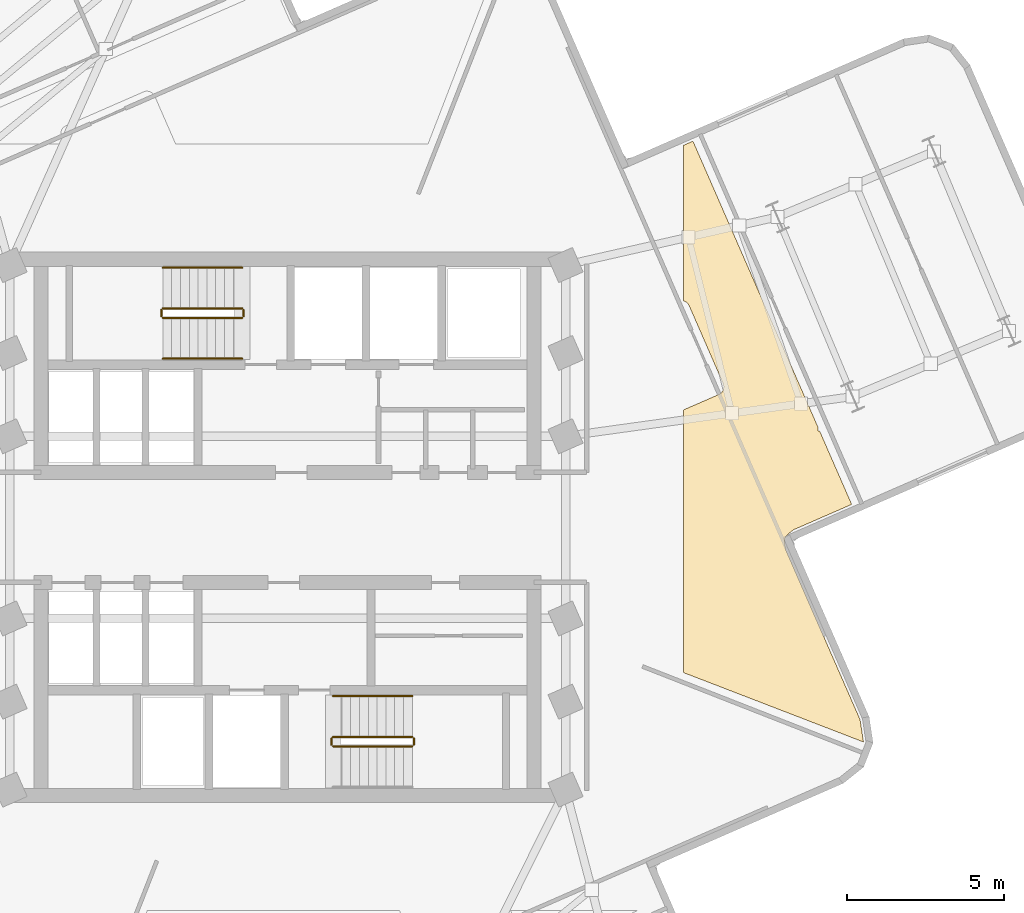
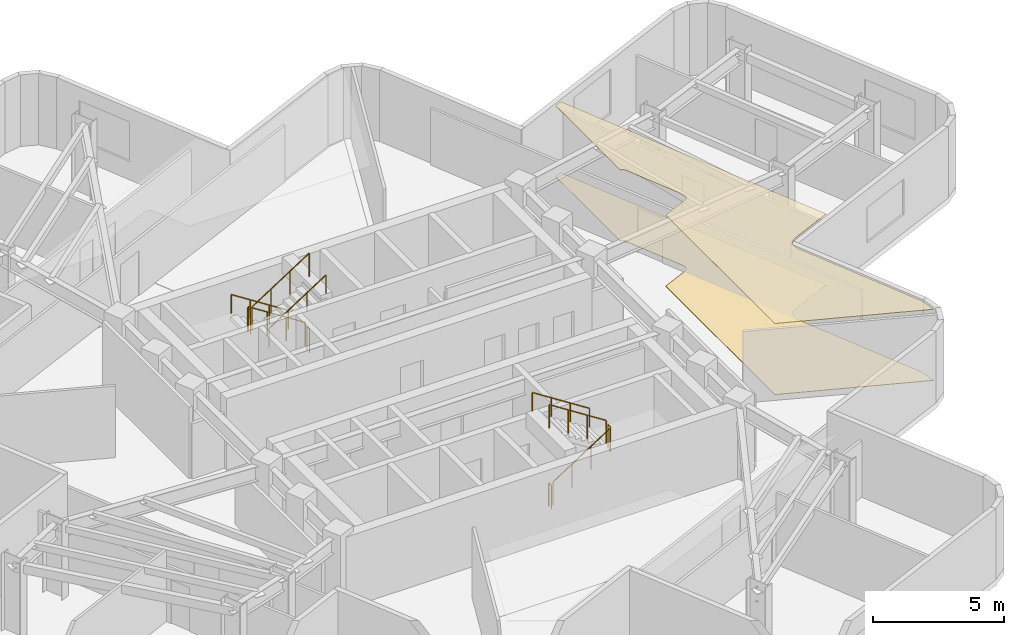
# One storey, part 7 of 8: 11 railings, 2 coverings.
"""IFC4 building model written with IfcOpenShell, lengths in metres."""

from ifc_helpers import new_model, si_unit, direction, frame, origin, origin_2d, place, context, subcontext, project, spatial, polyline, circle, outline, extrude, material, layer, layer_set, type_object, element, save


model = new_model("IFC4")

# Units and contexts
model_context = context("Model", 3, precision=1e-05, world=origin(), true_north=direction((0.0, 1.0)))
body_context = subcontext(model_context, "Body", "Model", "MODEL_VIEW")
ifc_project = project(units=[si_unit("LENGTHUNIT", "METRE"), si_unit("AREAUNIT", "SQUARE_METRE"), si_unit("VOLUMEUNIT", "CUBIC_METRE"), si_unit("PLANEANGLEUNIT", "RADIAN"), si_unit("MASSUNIT", "GRAM", prefix="KILO")], contexts=[model_context])

# Site, building, storey
site_placement = place(None, origin())
site = spatial("IfcSite", under=ifc_project, at=site_placement, CompositionType="ELEMENT")
building_placement = place(site_placement, origin())
building = spatial("IfcBuilding", under=site, at=building_placement, Name="Solmarez Civic Tower", CompositionType="ELEMENT")
storey_placement = place(building_placement, frame((0.0, 0.0, 181.080078125)))
storey = spatial("IfcBuildingStorey", under=building, at=storey_placement, Name="L48", CompositionType="ELEMENT", Elevation=181.080078125)

# Coverings
ifc_material_1 = material(Name="Perforated Mineral-Fibre Acoustic Ceiling")
ifc_layer_1 = layer(ifc_material_1, 0.02490234375)
ifc_layer_set_1 = layer_set([ifc_layer_1], Name="Perforated Mineral-Fibre Acoustic Ceiling")
covering_type_1 = type_object("IfcCoveringType", Name="COV-CEIL-ACOUSTIC", PredefinedType="CEILING", material=ifc_layer_set_1)
covering_1_placement = place(storey_placement, frame((0.0, 0.0, 3.31494140625)))
element("IfcCovering", 1, at=covering_1_placement, inside=storey, type_object=covering_type_1, Name="L48 Suspended Acoustic Ceiling 1", PredefinedType="CEILING", context=body_context, shape_type="SweptSolid", body=[
    extrude(outline(polyline([(12.60009765625, 12.160888671875), (12.60205078125, 7.2119140625), (12.618896484375, 7.20703125), (12.635986328125, 7.200927734375), (12.64111328125, 7.198974609375), (12.657958984375, 7.19091796875), (12.675048828125, 7.181884765625), (12.695068359375, 7.16796875), (12.702880859375, 7.162109375), (12.720947265625, 7.14697265625), (12.738037109375, 7.12890625), (12.743896484375, 7.1220703125), (12.758056640625, 7.10498046875), (12.76904296875, 7.0859375), (12.77392578125, 7.076904296875), (12.783935546875, 7.05810546875), (13.864990234375, 4.583984375), (13.8720703125, 4.56591796875), (13.875, 4.556884765625), (13.882080078125, 4.530029296875), (13.883056640625, 4.52490234375), (13.885986328125, 4.50390625), (13.886962890625, 4.48193359375), (13.886962890625, 4.471923828125), (13.885986328125, 4.449951171875), (13.883056640625, 4.428955078125), (13.882080078125, 4.424072265625), (13.881103515625, 4.4189453125), (13.87890625, 4.409912109375), (13.8740234375, 4.39306640625), (13.867919921875, 4.3759765625), (13.865966796875, 4.37109375), (13.85791015625, 4.35400390625), (13.84912109375, 4.3369140625), (13.837890625, 4.321044921875), (13.8291015625, 4.30908203125), (13.81396484375, 4.291015625), (13.7958984375, 4.27392578125), (13.7890625, 4.26806640625), (13.77197265625, 4.25390625), (13.7529296875, 4.242919921875), (13.743896484375, 4.238037109375), (13.72509765625, 4.22802734375), (12.60009765625, 3.737060546875), (12.60009765625, -4.623046875), (18.330078125, -6.83203125), (18.3330078125, -6.825927734375), (18.22705078125, -6.1259765625), (15.8720703125, -0.738037109375), (15.862060546875, -0.7099609375), (15.860107421875, -0.702880859375), (15.85791015625, -0.696044921875), (15.85302734375, -0.672119140625), (15.85107421875, -0.6630859375), (15.824951171875, -0.489990234375), (15.823974609375, -0.48291015625), (15.822021484375, -0.451904296875), (15.822021484375, -0.444091796875), (15.823974609375, -0.4130859375), (15.824951171875, -0.407958984375), (15.825927734375, -0.402099609375), (15.827880859375, -0.385009765625), (15.83203125, -0.368896484375), (15.833984375, -0.362060546875), (15.843994140625, -0.3349609375), (15.85009765625, -0.321044921875), (15.85888671875, -0.302001953125), (15.8701171875, -0.283935546875), (15.883056640625, -0.26708984375), (15.89208984375, -0.2548828125), (15.89697265625, -0.2490234375), (15.909912109375, -0.23388671875), (15.925048828125, -0.220947265625), (15.930908203125, -0.216064453125), (15.93505859375, -0.212890625), (16.070068359375, -0.10595703125), (16.074951171875, -0.10205078125), (16.090087890625, -0.091064453125), (16.095947265625, -0.0869140625), (16.1201171875, -0.072998046875), (16.1259765625, -0.070068359375), (16.135986328125, -0.06494140625), (17.958984375, 0.73095703125), (16.93994140625, 3.06396484375), (16.886962890625, 3.06396484375), (16.886962890625, 3.18603515625), (12.906005859375, 12.294921875), (12.60009765625, 12.160888671875)])), origin(), (0.0, 0.0, 1.0), 0.02490234375),
])
ifc_material_2 = material(Name="Polished Tropical Stone Terrazzo Flooring", Category="masonry")
ifc_layer_2 = layer(ifc_material_2, 0.02001953125)
ifc_layer_set_2 = layer_set([ifc_layer_2], Name="Polished Tropical Stone Terrazzo Flooring")
covering_type_2 = type_object("IfcCoveringType", Name="COV-FLOOR-TERRAZZO", PredefinedType="FLOORING", material=ifc_layer_set_2)
covering_2_placement = place(storey_placement, origin())
element("IfcCovering", 2, at=covering_2_placement, inside=storey, type_object=covering_type_2, Name="L48 Terrazzo Floor Finish 1", PredefinedType="FLOORING", context=body_context, shape_type="SweptSolid", body=[
    extrude(outline(polyline([(12.60009765625, 12.160888671875), (12.60205078125, 7.2119140625), (12.618896484375, 7.20703125), (12.635986328125, 7.200927734375), (12.64111328125, 7.198974609375), (12.657958984375, 7.19091796875), (12.675048828125, 7.181884765625), (12.695068359375, 7.16796875), (12.702880859375, 7.162109375), (12.720947265625, 7.14697265625), (12.738037109375, 7.12890625), (12.743896484375, 7.1220703125), (12.758056640625, 7.10498046875), (12.76904296875, 7.0859375), (12.77392578125, 7.076904296875), (12.783935546875, 7.05810546875), (13.864990234375, 4.583984375), (13.8720703125, 4.56591796875), (13.875, 4.556884765625), (13.882080078125, 4.530029296875), (13.883056640625, 4.52490234375), (13.885986328125, 4.50390625), (13.886962890625, 4.48193359375), (13.886962890625, 4.471923828125), (13.885986328125, 4.449951171875), (13.883056640625, 4.428955078125), (13.882080078125, 4.424072265625), (13.881103515625, 4.4189453125), (13.87890625, 4.409912109375), (13.8740234375, 4.39306640625), (13.867919921875, 4.3759765625), (13.865966796875, 4.37109375), (13.85791015625, 4.35400390625), (13.84912109375, 4.3369140625), (13.837890625, 4.321044921875), (13.8291015625, 4.30908203125), (13.81396484375, 4.291015625), (13.7958984375, 4.27392578125), (13.7890625, 4.26806640625), (13.77197265625, 4.25390625), (13.7529296875, 4.242919921875), (13.743896484375, 4.238037109375), (13.72509765625, 4.22802734375), (12.60009765625, 3.737060546875), (12.60009765625, -4.623046875), (18.330078125, -6.83203125), (18.3330078125, -6.825927734375), (18.22705078125, -6.1259765625), (15.8720703125, -0.738037109375), (15.862060546875, -0.7099609375), (15.860107421875, -0.702880859375), (15.85791015625, -0.696044921875), (15.85302734375, -0.672119140625), (15.85107421875, -0.6630859375), (15.824951171875, -0.489990234375), (15.823974609375, -0.48291015625), (15.822021484375, -0.451904296875), (15.822021484375, -0.444091796875), (15.823974609375, -0.4130859375), (15.824951171875, -0.407958984375), (15.825927734375, -0.402099609375), (15.827880859375, -0.385009765625), (15.83203125, -0.368896484375), (15.833984375, -0.362060546875), (15.843994140625, -0.3349609375), (15.85009765625, -0.321044921875), (15.85888671875, -0.302001953125), (15.8701171875, -0.283935546875), (15.883056640625, -0.26708984375), (15.89208984375, -0.2548828125), (15.89697265625, -0.2490234375), (15.909912109375, -0.23388671875), (15.925048828125, -0.220947265625), (15.930908203125, -0.216064453125), (15.93505859375, -0.212890625), (16.070068359375, -0.10595703125), (16.074951171875, -0.10205078125), (16.090087890625, -0.091064453125), (16.095947265625, -0.0869140625), (16.1201171875, -0.072998046875), (16.1259765625, -0.070068359375), (16.135986328125, -0.06494140625), (17.958984375, 0.73095703125), (16.93994140625, 3.06396484375), (16.886962890625, 3.06396484375), (16.886962890625, 3.18603515625), (12.906005859375, 12.294921875), (12.60009765625, 12.160888671875)])), origin(), (0.0, 0.0, 1.0), 0.02001953125),
])

# Railings
ifc_material_3 = material(Name="Painted Steel Stairwell Safety Guard", Category="steel")
railing_type_1 = type_object("IfcRailingType", Name="GUARD-STAIR-1120", PredefinedType="BALUSTRADE", material=ifc_material_3)
railing_1_placement = place(storey_placement, frame((-1.449951171875, 6.969970703125, 0.179931640625)))
element("IfcRailing", 3, at=railing_1_placement, inside=storey, type_object=railing_type_1, Name="L48 ST-1 stair guard 1", PredefinedType="BALUSTRADE", context=body_context, shape_type="SweptSolid", body=[
    extrude(circle(Radius=0.02392578125, at=origin_2d()), frame((0.0, 0.0, 1.09619140625), z_axis=(-0.841199657755, 0.0, 0.540724639528), x_axis=(0.0, -1.0, 0.0)), (0.0, 0.0, 1.0), 2.995849609375),
    extrude(circle(Radius=0.02099609375, at=origin_2d()), origin(), (0.0, 0.0, 1.0), 1.072021484375),
    extrude(circle(Radius=0.02099609375, at=origin_2d()), frame((-0.840087890625, 0.0, 0.5400390625)), (0.0, 0.0, 1.0), 1.072021484375),
    extrude(circle(Radius=0.02099609375, at=origin_2d()), frame((-1.679931640625, 0.0, 1.079833984375)), (0.0, 0.0, 1.0), 1.072021484375),
    extrude(circle(Radius=0.02099609375, at=origin_2d()), frame((-2.52001953125, 0.0, 1.619873046875)), (0.0, 0.0, 1.0), 1.072021484375),
])
railing_2_placement = place(storey_placement, frame((-4.02001953125, 6.919921875, 1.7998046875)))
element("IfcRailing", 4, at=railing_2_placement, inside=storey, type_object=railing_type_1, Name="L48 ST-1 stair guard 2", PredefinedType="BALUSTRADE", context=body_context, shape_type="SweptSolid", body=[
    extrude(circle(Radius=0.02392578125, at=origin_2d()), frame((0.0, 0.0, 1.09619140625), z_axis=(0.0, -1.0, 0.0), x_axis=(1.0, 0.0, 0.0)), (0.0, 0.0, 1.0), 0.199951171875),
    extrude(circle(Radius=0.02099609375, at=origin_2d()), origin(), (0.0, 0.0, 1.0), 1.072021484375),
    extrude(circle(Radius=0.02099609375, at=origin_2d()), frame((0.0, -0.199951171875, 0.0)), (0.0, 0.0, 1.0), 1.072021484375),
])
railing_3_placement = place(storey_placement, frame((-3.969970703125, 6.669921875, 1.97998046875)))
element("IfcRailing", 5, at=railing_3_placement, inside=storey, type_object=railing_type_1, Name="L48 ST-1 stair guard 3", PredefinedType="BALUSTRADE", context=body_context, shape_type="SweptSolid", body=[
    extrude(circle(Radius=0.02392578125, at=origin_2d()), frame((0.0, 0.0, 1.09619140625), z_axis=(0.841199657755, 0.0, 0.540724639528), x_axis=(0.0, 1.0, 0.0)), (0.0, 0.0, 1.0), 2.995849609375),
    extrude(circle(Radius=0.02099609375, at=origin_2d()), origin(), (0.0, 0.0, 1.0), 1.072021484375),
    extrude(circle(Radius=0.02099609375, at=origin_2d()), frame((0.840087890625, 0.0, 0.5400390625)), (0.0, 0.0, 1.0), 1.072021484375),
    extrude(circle(Radius=0.02099609375, at=origin_2d()), frame((1.679931640625, 0.0, 1.079833984375)), (0.0, 0.0, 1.0), 1.072021484375),
    extrude(circle(Radius=0.02099609375, at=origin_2d()), frame((2.52001953125, 0.0, 1.619873046875)), (0.0, 0.0, 1.0), 1.072021484375),
])
railing_4_placement = place(storey_placement, frame((-1.39990234375, 6.919921875, 0.0)))
element("IfcRailing", 6, at=railing_4_placement, inside=storey, type_object=railing_type_1, Name="L48 ST-1 stair guard 4", PredefinedType="BALUSTRADE", context=body_context, shape_type="SweptSolid", body=[
    extrude(circle(Radius=0.02392578125, at=origin_2d()), frame((0.0, 0.0, 1.09619140625), z_axis=(0.0, -1.0, 0.0), x_axis=(1.0, 0.0, 0.0)), (0.0, 0.0, 1.0), 0.199951171875),
    extrude(circle(Radius=0.02099609375, at=origin_2d()), origin(), (0.0, 0.0, 1.0), 1.072021484375),
    extrude(circle(Radius=0.02099609375, at=origin_2d()), frame((0.0, -0.199951171875, 0.0)), (0.0, 0.0, 1.0), 1.072021484375),
])
railing_5_placement = place(storey_placement, frame((1.449951171875, -6.969970703125, 0.179931640625)))
element("IfcRailing", 7, at=railing_5_placement, inside=storey, type_object=railing_type_1, Name="L48 ST-2 stair guard 1", PredefinedType="BALUSTRADE", context=body_context, shape_type="SweptSolid", body=[
    extrude(circle(Radius=0.02392578125, at=origin_2d()), frame((0.0, 0.0, 1.09619140625), z_axis=(0.841199657755, 0.0, 0.540724639528), x_axis=(0.0, 1.0, 0.0)), (0.0, 0.0, 1.0), 2.995849609375),
    extrude(circle(Radius=0.02099609375, at=origin_2d()), origin(), (0.0, 0.0, 1.0), 1.072021484375),
    extrude(circle(Radius=0.02099609375, at=origin_2d()), frame((0.840087890625, 0.0, 0.5400390625)), (0.0, 0.0, 1.0), 1.072021484375),
    extrude(circle(Radius=0.02099609375, at=origin_2d()), frame((1.679931640625, 0.0, 1.079833984375)), (0.0, 0.0, 1.0), 1.072021484375),
    extrude(circle(Radius=0.02099609375, at=origin_2d()), frame((2.52001953125, 0.0, 1.619873046875)), (0.0, 0.0, 1.0), 1.072021484375),
])
railing_6_placement = place(storey_placement, frame((4.02001953125, -6.919921875, 1.7998046875)))
element("IfcRailing", 8, at=railing_6_placement, inside=storey, type_object=railing_type_1, Name="L48 ST-2 stair guard 2", PredefinedType="BALUSTRADE", context=body_context, shape_type="SweptSolid", body=[
    extrude(circle(Radius=0.02392578125, at=origin_2d()), frame((0.0, 0.0, 1.09619140625), z_axis=(0.0, 1.0, 0.0), x_axis=(-1.0, 0.0, 0.0)), (0.0, 0.0, 1.0), 0.199951171875),
    extrude(circle(Radius=0.02099609375, at=origin_2d()), origin(), (0.0, 0.0, 1.0), 1.072021484375),
    extrude(circle(Radius=0.02099609375, at=origin_2d()), frame((0.0, 0.199951171875, 0.0)), (0.0, 0.0, 1.0), 1.072021484375),
])
railing_7_placement = place(storey_placement, frame((3.969970703125, -6.669921875, 1.97998046875)))
element("IfcRailing", 9, at=railing_7_placement, inside=storey, type_object=railing_type_1, Name="L48 ST-2 stair guard 3", PredefinedType="BALUSTRADE", context=body_context, shape_type="SweptSolid", body=[
    extrude(circle(Radius=0.02392578125, at=origin_2d()), frame((0.0, 0.0, 1.09619140625), z_axis=(-0.841199657755, 0.0, 0.540724639528), x_axis=(0.0, -1.0, 0.0)), (0.0, 0.0, 1.0), 2.995849609375),
    extrude(circle(Radius=0.02099609375, at=origin_2d()), origin(), (0.0, 0.0, 1.0), 1.072021484375),
    extrude(circle(Radius=0.02099609375, at=origin_2d()), frame((-0.840087890625, 0.0, 0.5400390625)), (0.0, 0.0, 1.0), 1.072021484375),
    extrude(circle(Radius=0.02099609375, at=origin_2d()), frame((-1.679931640625, 0.0, 1.079833984375)), (0.0, 0.0, 1.0), 1.072021484375),
    extrude(circle(Radius=0.02099609375, at=origin_2d()), frame((-2.52001953125, 0.0, 1.619873046875)), (0.0, 0.0, 1.0), 1.072021484375),
])
railing_8_placement = place(storey_placement, frame((1.39990234375, -6.919921875, 0.0)))
element("IfcRailing", 10, at=railing_8_placement, inside=storey, type_object=railing_type_1, Name="L48 ST-2 stair guard 4", PredefinedType="BALUSTRADE", context=body_context, shape_type="SweptSolid", body=[
    extrude(circle(Radius=0.02392578125, at=origin_2d()), frame((0.0, 0.0, 1.09619140625), z_axis=(0.0, 1.0, 0.0), x_axis=(-1.0, 0.0, 0.0)), (0.0, 0.0, 1.0), 0.199951171875),
    extrude(circle(Radius=0.02099609375, at=origin_2d()), origin(), (0.0, 0.0, 1.0), 1.072021484375),
    extrude(circle(Radius=0.02099609375, at=origin_2d()), frame((0.0, 0.199951171875, 0.0)), (0.0, 0.0, 1.0), 1.072021484375),
])
ifc_material_4 = material(Name="Brushed Stainless Steel Tube Handrail", Category="steel")
railing_type_2 = type_object("IfcRailingType", Name="HANDRAIL-STAIR-900", PredefinedType="HANDRAIL", material=ifc_material_4)
railing_9_placement = place(storey_placement, frame((-1.449951171875, 8.27001953125, 0.179931640625)))
element("IfcRailing", 11, at=railing_9_placement, inside=storey, type_object=railing_type_2, Name="L48 ST-1 stair handrail 1", PredefinedType="HANDRAIL", context=body_context, shape_type="SweptSolid", body=[
    extrude(circle(Radius=0.02392578125, at=origin_2d()), frame((0.0, 0.0, 0.8759765625), z_axis=(-0.841199657755, 0.0, 0.540724639528), x_axis=(0.0, -1.0, 0.0)), (0.0, 0.0, 1.0), 2.995849609375),
    extrude(circle(Radius=0.02099609375, at=origin_2d()), origin(), (0.0, 0.0, 1.0), 0.851806640625),
    extrude(circle(Radius=0.02099609375, at=origin_2d()), frame((-0.840087890625, 0.0, 0.5400390625)), (0.0, 0.0, 1.0), 0.851806640625),
    extrude(circle(Radius=0.02099609375, at=origin_2d()), frame((-1.679931640625, 0.0, 1.079833984375)), (0.0, 0.0, 1.0), 0.851806640625),
    extrude(circle(Radius=0.02099609375, at=origin_2d()), frame((-2.52001953125, 0.0, 1.619873046875)), (0.0, 0.0, 1.0), 0.851806640625),
])
railing_10_placement = place(storey_placement, frame((-3.969970703125, 5.3701171875, 1.97998046875)))
element("IfcRailing", 12, at=railing_10_placement, inside=storey, type_object=railing_type_2, Name="L48 ST-1 stair handrail 2", PredefinedType="HANDRAIL", context=body_context, shape_type="SweptSolid", body=[
    extrude(circle(Radius=0.02392578125, at=origin_2d()), frame((0.0, 0.0, 0.8759765625), z_axis=(0.841199657755, 0.0, 0.540724639528), x_axis=(0.0, 1.0, 0.0)), (0.0, 0.0, 1.0), 2.995849609375),
    extrude(circle(Radius=0.02099609375, at=origin_2d()), origin(), (0.0, 0.0, 1.0), 0.851806640625),
    extrude(circle(Radius=0.02099609375, at=origin_2d()), frame((0.840087890625, 0.0, 0.5400390625)), (0.0, 0.0, 1.0), 0.851806640625),
    extrude(circle(Radius=0.02099609375, at=origin_2d()), frame((1.679931640625, 0.0, 1.079833984375)), (0.0, 0.0, 1.0), 0.851806640625),
    extrude(circle(Radius=0.02099609375, at=origin_2d()), frame((2.52001953125, 0.0, 1.619873046875)), (0.0, 0.0, 1.0), 0.851806640625),
])
railing_11_placement = place(storey_placement, frame((3.969970703125, -5.3701171875, 1.97998046875)))
element("IfcRailing", 13, at=railing_11_placement, inside=storey, type_object=railing_type_2, Name="L48 ST-2 stair handrail 2", PredefinedType="HANDRAIL", context=body_context, shape_type="SweptSolid", body=[
    extrude(circle(Radius=0.02392578125, at=origin_2d()), frame((0.0, 0.0, 0.8759765625), z_axis=(-0.841199657755, 0.0, 0.540724639528), x_axis=(0.0, -1.0, 0.0)), (0.0, 0.0, 1.0), 2.995849609375),
    extrude(circle(Radius=0.02099609375, at=origin_2d()), origin(), (0.0, 0.0, 1.0), 0.851806640625),
    extrude(circle(Radius=0.02099609375, at=origin_2d()), frame((-0.840087890625, 0.0, 0.5400390625)), (0.0, 0.0, 1.0), 0.851806640625),
    extrude(circle(Radius=0.02099609375, at=origin_2d()), frame((-1.679931640625, 0.0, 1.079833984375)), (0.0, 0.0, 1.0), 0.851806640625),
    extrude(circle(Radius=0.02099609375, at=origin_2d()), frame((-2.52001953125, 0.0, 1.619873046875)), (0.0, 0.0, 1.0), 0.851806640625),
])

save(model, "model.ifc")
